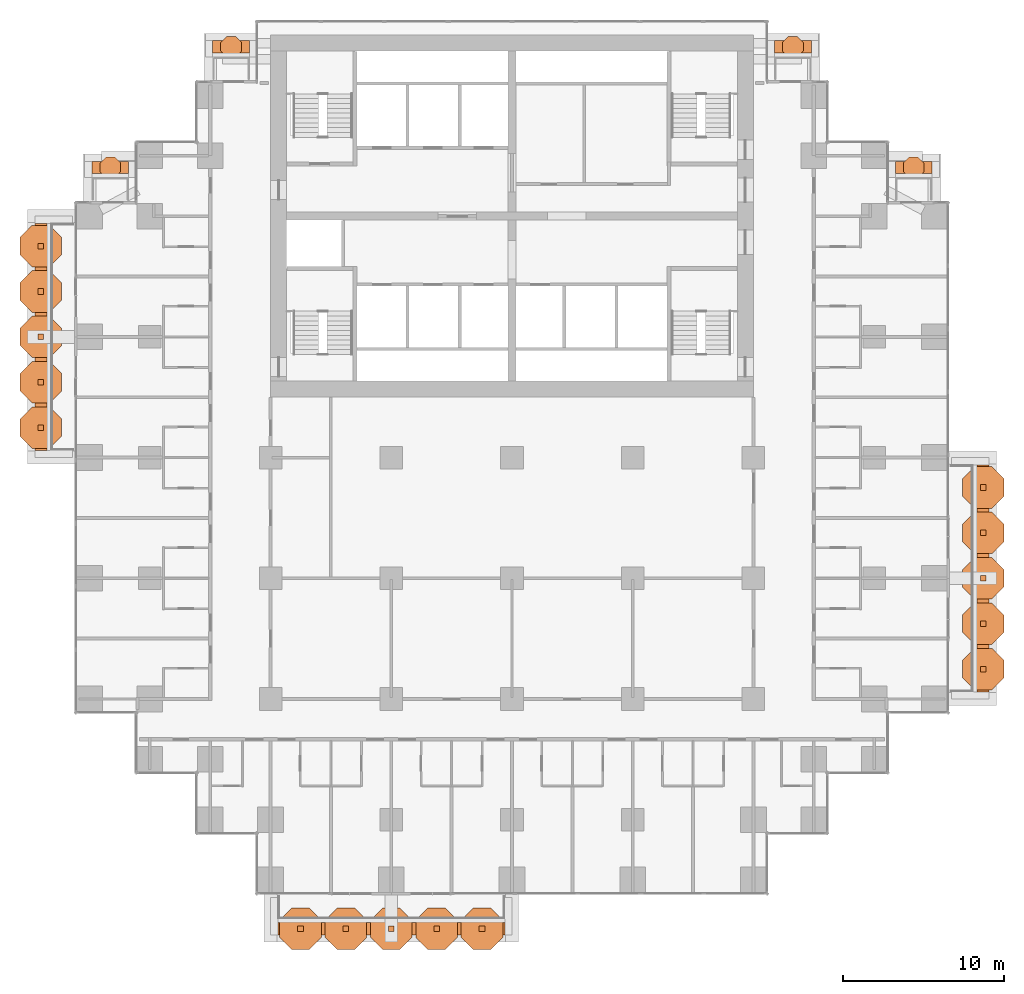
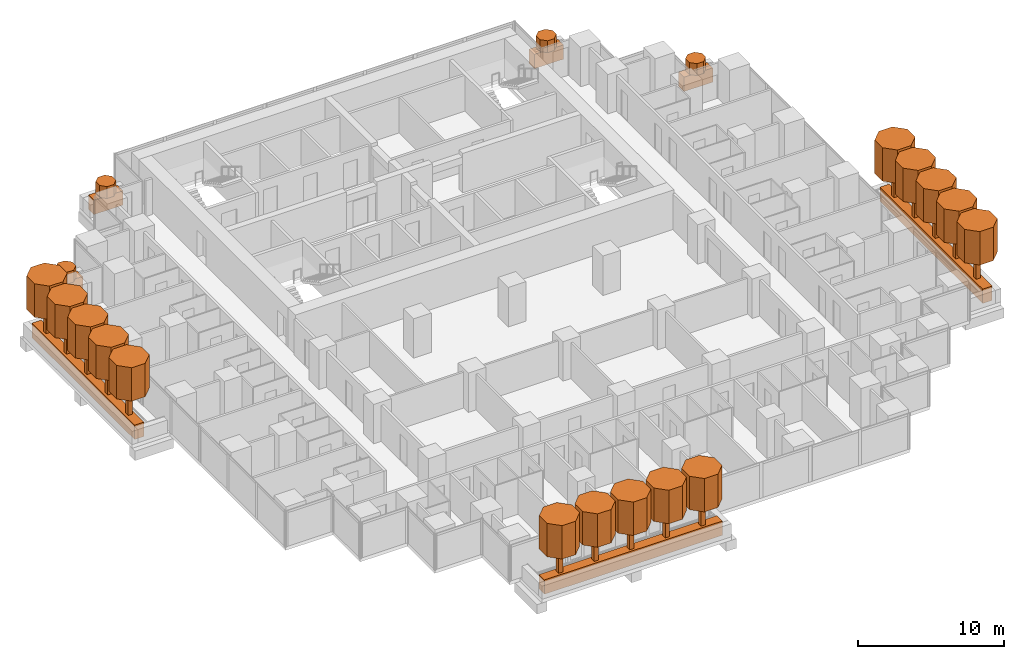
# One storey, part 18 of 18: 41 geographic elements.
"""IFC4 building model written with IfcOpenShell, lengths in metres."""

from ifc_helpers import new_model, si_unit, direction, frame, origin, origin_2d, place, context, subcontext, project, spatial, polyline, rectangle, outline, extrude, material, material_profile, profile_set, type_object, element, save


model = new_model("IFC4")

# Units and contexts
model_context = context("Model", 3, precision=1e-05, world=origin(), true_north=direction((0.0, 1.0)))
body_context = subcontext(model_context, "Body", "Model", "MODEL_VIEW")
ifc_project = project(units=[si_unit("LENGTHUNIT", "METRE"), si_unit("AREAUNIT", "SQUARE_METRE"), si_unit("VOLUMEUNIT", "CUBIC_METRE"), si_unit("PLANEANGLEUNIT", "RADIAN"), si_unit("MASSUNIT", "GRAM", prefix="KILO")], contexts=[model_context])

# Site, building, storey
site_placement = place(None, origin())
site = spatial("IfcSite", under=ifc_project, at=site_placement, CompositionType="ELEMENT")
building_placement = place(site_placement, origin())
building = spatial("IfcBuilding", under=site, at=building_placement, Name="Pilkhan Gate Tower", CompositionType="ELEMENT")
storey_placement = place(building_placement, frame((0.0, 0.0, 42.800048828125)))
storey = spatial("IfcBuildingStorey", under=building, at=storey_placement, Name="L07", CompositionType="ELEMENT", Elevation=42.800048828125)

# Geographic elements
ifc_material_1 = material(Name="Foliage")
ifc_material_profile_1 = material_profile(ifc_material_1, rectangle(XDim=0.75, YDim=1.199951171875, at=origin_2d()), Name="Bed 750x1200")
ifc_profile_set_1 = profile_set([ifc_material_profile_1], Name="Foliage")
geographic_element_type_1 = type_object("IfcGeographicElementType", Name="Planting bed PB1", PredefinedType="USERDEFINED", material=ifc_profile_set_1)
for number, where, z_axis, x_axis, name in (
    (1, (60.449951171875, 38.22509765625, 0.599853515625), (1.0, 0.0, 0.0), (0.0, 1.0, 0.0), "Balcony L07 S planting bed"),
    (2, (104.27490234375, 52.949951171875, 0.599853515625), (0.0, 1.0, 0.0), (-1.0, 0.0, 0.0), "Balcony L07 E planting bed"),
):
    element("IfcGeographicElement", number, at=place(storey_placement, frame(where, z_axis=z_axis, x_axis=x_axis)), inside=storey, type_object=geographic_element_type_1, Name=name, ObjectType="PLANTING BED", PredefinedType="USERDEFINED", context=body_context, shape_type="SweptSolid", body=[
        extrude(rectangle(XDim=0.75, YDim=1.199951171875, at=origin_2d()), origin(), (0.0, 0.0, 1.0), 14.10009765625),
    ])
for number, where, z_axis, x_axis, name in (
    (3, (56.39990234375, 93.02490234375, 0.599853515625), (1.0, 0.0, 0.0), (0.0, 1.0, 0.0), "Balcony L07 N planting bed"),
    (4, (91.300048828125, 93.02490234375, 0.599853515625), (1.0, 0.0, 0.0), (0.0, 1.0, 0.0), "Balcony L07 N planting bed"),
):
    element("IfcGeographicElement", number, at=place(storey_placement, frame(where, z_axis=z_axis, x_axis=x_axis)), inside=storey, type_object=geographic_element_type_1, Name=name, ObjectType="PLANTING BED", PredefinedType="USERDEFINED", context=body_context, shape_type="SweptSolid", body=[
        extrude(rectangle(XDim=0.75, YDim=1.199951171875, at=origin_2d()), origin(), (0.0, 0.0, 1.0), 2.300048828125),
    ])
for number, where, z_axis, x_axis, name in (
    (5, (48.89990234375, 85.52490234375, 0.599853515625), (1.0, 0.0, 0.0), (0.0, 1.0, 0.0), "Balcony L07 N planting bed"),
    (6, (98.820068359375, 85.52490234375, 0.599853515625), (1.0, 0.0, 0.0), (0.0, 1.0, 0.0), "Balcony L07 N planting bed"),
):
    element("IfcGeographicElement", number, at=place(storey_placement, frame(where, z_axis=z_axis, x_axis=x_axis)), inside=storey, type_object=geographic_element_type_1, Name=name, ObjectType="PLANTING BED", PredefinedType="USERDEFINED", context=body_context, shape_type="SweptSolid", body=[
        extrude(rectangle(XDim=0.75, YDim=1.199951171875, at=origin_2d()), origin(), (0.0, 0.0, 1.0), 2.280029296875),
    ])
geographic_element_placement = place(storey_placement, frame((45.72509765625, 67.949951171875, 0.599853515625), z_axis=(0.0, 1.0, 0.0), x_axis=(-1.0, 0.0, 0.0)))
element("IfcGeographicElement", 7, at=geographic_element_placement, inside=storey, type_object=geographic_element_type_1, Name="Balcony L07 W planting bed", ObjectType="PLANTING BED", PredefinedType="USERDEFINED", context=body_context, shape_type="SweptSolid", body=[
    extrude(rectangle(XDim=0.75, YDim=1.199951171875, at=origin_2d()), origin(), (0.0, 0.0, 1.0), 14.10009765625),
])
ifc_material_profile_2 = material_profile(ifc_material_1, outline(polyline([(0.646728515625, 0.267822265625), (0.267822265625, 0.646728515625), (-0.267822265625, 0.646728515625), (-0.646728515625, 0.267822265625), (-0.646728515625, -0.267822265625), (-0.267822265625, -0.646728515625), (0.267822265625, -0.646728515625), (0.646728515625, -0.267822265625), (0.646728515625, 0.267822265625)])), Name="Shrub D1.4")
ifc_profile_set_2 = profile_set([ifc_material_profile_2], Name="Foliage")
geographic_element_type_2 = type_object("IfcGeographicElementType", Name="Shrub SH07", PredefinedType="USERDEFINED", material=ifc_profile_set_2)
for number, where, z_axis, x_axis, name in (
    (8, (57.550048828125, 93.02490234375, 1.199951171875), (0.0, 0.0, 1.0), (1.0, 0.0, 0.0), "Shrub L07 N 1"),
    (9, (92.449951171875, 93.02490234375, 1.199951171875), (0.0, 0.0, 1.0), (1.0, 0.0, 0.0), "Shrub L07 N 1"),
    (10, (50.0400390625, 85.52490234375, 1.199951171875), (0.0, 0.0, 1.0), (1.0, 0.0, 0.0), "Shrub L07 N 1"),
    (11, (99.9599609375, 85.52490234375, 1.199951171875), (0.0, 0.0, 1.0), (1.0, 0.0, 0.0), "Shrub L07 N 1"),
):
    element("IfcGeographicElement", number, at=place(storey_placement, frame(where, z_axis=z_axis, x_axis=x_axis)), inside=storey, type_object=geographic_element_type_2, Name=name, ObjectType="SHRUB", PredefinedType="USERDEFINED", context=body_context, shape_type="SweptSolid", body=[
        extrude(outline(polyline([(0.646728515625, 0.267822265625), (0.267822265625, 0.646728515625), (-0.267822265625, 0.646728515625), (-0.646728515625, 0.267822265625), (-0.646728515625, -0.267822265625), (-0.267822265625, -0.646728515625), (0.267822265625, -0.646728515625), (0.646728515625, -0.267822265625), (0.646728515625, 0.267822265625)])), origin(), (0.0, 0.0, 1.0), 1.0),
    ])
ifc_material_profile_3 = material_profile(ifc_material_1, outline(polyline([(1.29345703125, 0.535888671875), (0.535888671875, 1.29345703125), (-0.535888671875, 1.29345703125), (-1.29345703125, 0.535888671875), (-1.29345703125, -0.535888671875), (-0.535888671875, -1.29345703125), (0.535888671875, -1.29345703125), (1.29345703125, -0.535888671875), (1.29345703125, 0.535888671875)])), Name="Canopy D2.8")
ifc_profile_set_3 = profile_set([ifc_material_profile_3], Name="Foliage")
geographic_element_type_3 = type_object("IfcGeographicElementType", Name="Tree canopy TC14", PredefinedType="USERDEFINED", material=ifc_profile_set_3)
for number, where, z_axis, x_axis, name in (
    (12, (61.860107421875, 38.22509765625, 3.199951171875), (0.0, 0.0, 1.0), (1.0, 0.0, 0.0), "Tree L07 S 1 canopy"),
    (13, (64.679931640625, 38.22509765625, 3.199951171875), (0.0, 0.0, 1.0), (1.0, 0.0, 0.0), "Tree L07 S 2 canopy"),
    (14, (67.5, 38.22509765625, 3.199951171875), (0.0, 0.0, 1.0), (1.0, 0.0, 0.0), "Tree L07 S 3 canopy"),
    (15, (70.320068359375, 38.22509765625, 3.199951171875), (0.0, 0.0, 1.0), (1.0, 0.0, 0.0), "Tree L07 S 4 canopy"),
    (16, (73.139892578125, 38.22509765625, 3.199951171875), (0.0, 0.0, 1.0), (1.0, 0.0, 0.0), "Tree L07 S 5 canopy"),
    (17, (104.27490234375, 54.360107421875, 3.199951171875), (0.0, 0.0, 1.0), (1.0, 0.0, 0.0), "Tree L07 E 1 canopy"),
    (18, (104.27490234375, 57.179931640625, 3.199951171875), (0.0, 0.0, 1.0), (1.0, 0.0, 0.0), "Tree L07 E 2 canopy"),
    (19, (104.27490234375, 60.0, 3.199951171875), (0.0, 0.0, 1.0), (1.0, 0.0, 0.0), "Tree L07 E 3 canopy"),
    (20, (104.27490234375, 62.820068359375, 3.199951171875), (0.0, 0.0, 1.0), (1.0, 0.0, 0.0), "Tree L07 E 4 canopy"),
    (21, (104.27490234375, 65.639892578125, 3.199951171875), (0.0, 0.0, 1.0), (1.0, 0.0, 0.0), "Tree L07 E 5 canopy"),
    (22, (45.72509765625, 69.360107421875, 3.199951171875), (0.0, 0.0, 1.0), (1.0, 0.0, 0.0), "Tree L07 W 1 canopy"),
    (23, (45.72509765625, 72.179931640625, 3.199951171875), (0.0, 0.0, 1.0), (1.0, 0.0, 0.0), "Tree L07 W 2 canopy"),
    (24, (45.72509765625, 75.0, 3.199951171875), (0.0, 0.0, 1.0), (1.0, 0.0, 0.0), "Tree L07 W 3 canopy"),
    (25, (45.72509765625, 77.820068359375, 3.199951171875), (0.0, 0.0, 1.0), (1.0, 0.0, 0.0), "Tree L07 W 4 canopy"),
    (26, (45.72509765625, 80.639892578125, 3.199951171875), (0.0, 0.0, 1.0), (1.0, 0.0, 0.0), "Tree L07 W 5 canopy"),
):
    element("IfcGeographicElement", number, at=place(storey_placement, frame(where, z_axis=z_axis, x_axis=x_axis)), inside=storey, type_object=geographic_element_type_3, Name=name, ObjectType="TREE", PredefinedType="USERDEFINED", context=body_context, shape_type="SweptSolid", body=[
        extrude(outline(polyline([(1.29345703125, 0.535888671875), (0.535888671875, 1.29345703125), (-0.535888671875, 1.29345703125), (-1.29345703125, 0.535888671875), (-1.29345703125, -0.535888671875), (-0.535888671875, -1.29345703125), (0.535888671875, -1.29345703125), (1.29345703125, -0.535888671875), (1.29345703125, 0.535888671875)])), origin(), (0.0, 0.0, 1.0), 2.800048828125),
    ])
ifc_material_2 = material(Name="Timber trunk", Category="wood")
geographic_element_type_4 = type_object("IfcGeographicElementType", Name="Tree trunk TT1", PredefinedType="USERDEFINED", material=ifc_material_2)
for number, where, z_axis, x_axis, name in (
    (27, (61.860107421875, 38.22509765625, 1.199951171875), (0.0, 0.0, 1.0), (1.0, 0.0, 0.0), "Tree L07 S 1 trunk"),
    (28, (64.679931640625, 38.22509765625, 1.199951171875), (0.0, 0.0, 1.0), (1.0, 0.0, 0.0), "Tree L07 S 2 trunk"),
    (29, (67.5, 38.22509765625, 1.199951171875), (0.0, 0.0, 1.0), (1.0, 0.0, 0.0), "Tree L07 S 3 trunk"),
    (30, (70.320068359375, 38.22509765625, 1.199951171875), (0.0, 0.0, 1.0), (1.0, 0.0, 0.0), "Tree L07 S 4 trunk"),
    (31, (73.139892578125, 38.22509765625, 1.199951171875), (0.0, 0.0, 1.0), (1.0, 0.0, 0.0), "Tree L07 S 5 trunk"),
    (32, (104.27490234375, 54.360107421875, 1.199951171875), (0.0, 0.0, 1.0), (1.0, 0.0, 0.0), "Tree L07 E 1 trunk"),
    (33, (104.27490234375, 57.179931640625, 1.199951171875), (0.0, 0.0, 1.0), (1.0, 0.0, 0.0), "Tree L07 E 2 trunk"),
    (34, (104.27490234375, 60.0, 1.199951171875), (0.0, 0.0, 1.0), (1.0, 0.0, 0.0), "Tree L07 E 3 trunk"),
    (35, (104.27490234375, 62.820068359375, 1.199951171875), (0.0, 0.0, 1.0), (1.0, 0.0, 0.0), "Tree L07 E 4 trunk"),
    (36, (104.27490234375, 65.639892578125, 1.199951171875), (0.0, 0.0, 1.0), (1.0, 0.0, 0.0), "Tree L07 E 5 trunk"),
    (37, (45.72509765625, 69.360107421875, 1.199951171875), (0.0, 0.0, 1.0), (1.0, 0.0, 0.0), "Tree L07 W 1 trunk"),
    (38, (45.72509765625, 72.179931640625, 1.199951171875), (0.0, 0.0, 1.0), (1.0, 0.0, 0.0), "Tree L07 W 2 trunk"),
    (39, (45.72509765625, 75.0, 1.199951171875), (0.0, 0.0, 1.0), (1.0, 0.0, 0.0), "Tree L07 W 3 trunk"),
    (40, (45.72509765625, 77.820068359375, 1.199951171875), (0.0, 0.0, 1.0), (1.0, 0.0, 0.0), "Tree L07 W 4 trunk"),
    (41, (45.72509765625, 80.639892578125, 1.199951171875), (0.0, 0.0, 1.0), (1.0, 0.0, 0.0), "Tree L07 W 5 trunk"),
):
    element("IfcGeographicElement", number, at=place(storey_placement, frame(where, z_axis=z_axis, x_axis=x_axis)), inside=storey, type_object=geographic_element_type_4, Name=name, ObjectType="TREE", PredefinedType="USERDEFINED", context=body_context, shape_type="SweptSolid", body=[
        extrude(rectangle(XDim=0.35009765625, YDim=0.35009765625, at=origin_2d()), origin(), (0.0, 0.0, 1.0), 2.0),
    ])

save(model, "model.ifc")
